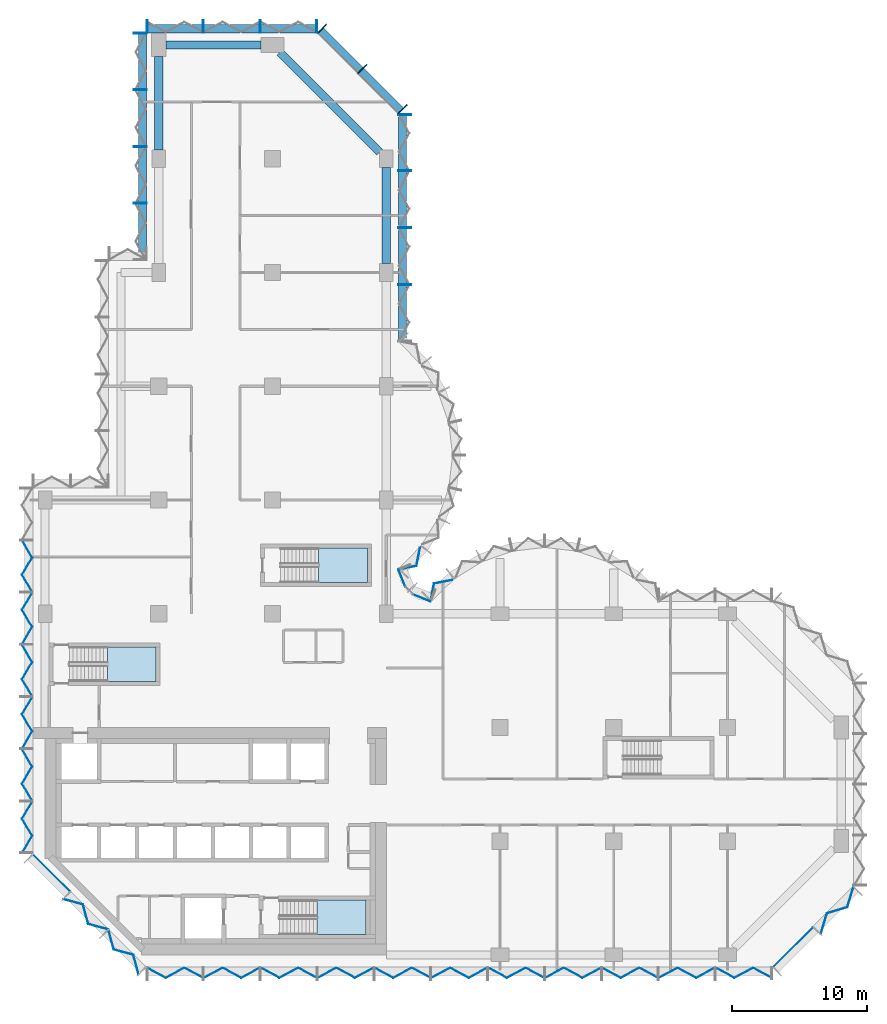
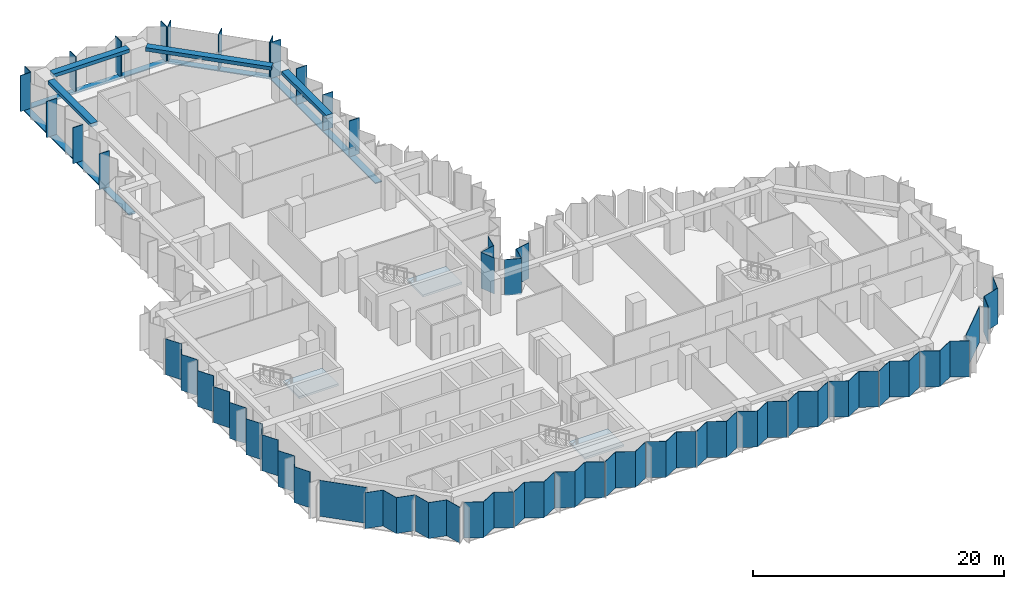
# One storey, part 3 of 11: 26 plates, 19 members, 4 beams, 3 slabs, 14 elements without a shape of their own.
"""IFC4 building model written with IfcOpenShell, lengths in metres."""

from ifc_helpers import new_model, si_unit, direction, frame, origin, origin_2d, place, context, subcontext, project, spatial, polyline, rectangle, outline, extrude, material, layer, layer_set, material_profile, profile_set, type_object, element, aggregate, save


model = new_model("IFC4")

# Units and contexts
model_context = context("Model", 3, precision=1e-05, world=origin(), true_north=direction((0.0, 1.0)))
body_context = subcontext(model_context, "Body", "Model", "MODEL_VIEW")
ifc_project = project(units=[si_unit("LENGTHUNIT", "METRE"), si_unit("AREAUNIT", "SQUARE_METRE"), si_unit("VOLUMEUNIT", "CUBIC_METRE"), si_unit("PLANEANGLEUNIT", "RADIAN"), si_unit("MASSUNIT", "GRAM", prefix="KILO")], contexts=[model_context])

# Site, building, storey
site_placement = place(None, origin())
site = spatial("IfcSite", under=ifc_project, at=site_placement, CompositionType="ELEMENT")
building_placement = place(site_placement, origin())
building = spatial("IfcBuilding", under=site, at=building_placement, Name="Brevane Broadcast Tower", CompositionType="ELEMENT")
storey_placement = place(building_placement, frame((0.0, 0.0, 149.300048828125)))
storey = spatial("IfcBuildingStorey", under=building, at=storey_placement, Name="L37", CompositionType="ELEMENT", Elevation=149.300048828125)

# Curtain wall, members
ifc_material_1 = material(Name="Aluminium 6063-T6 bronze anodised", Category="aluminium")
curtain_wall_type = type_object("IfcCurtainWallType", Name="CW-1 curtain wall", PredefinedType="NOTDEFINED", material=ifc_material_1)
curtain_wall_1_placement = place(storey_placement, origin())
curtain_wall_1 = element("IfcCurtainWall", 1, at=curtain_wall_1_placement, inside=storey, type_object=curtain_wall_type, Name="CW-1 typical tilted unit L37 north arm east face", PredefinedType="NOTDEFINED")
ifc_material_profile_1 = material_profile(ifc_material_1, rectangle(XDim=0.949951171875, YDim=0.070068359375, at=origin_2d()), Name="RECT 70x950")
ifc_profile_set_1 = profile_set([ifc_material_profile_1], Name="Aluminium 6063-T6 bronze anodised")
member_type_1 = type_object("IfcMemberType", Name="CW-1 mullion 70x950", PredefinedType="MULLION", material=ifc_profile_set_1)
member_1_placement = place(storey_placement, frame((26.574951171875, 49.5, -0.150146484375), z_axis=(0.0, 0.0, 1.0), x_axis=(-1.0, 0.0, 0.0)))
member_1 = element("IfcMember", 2, at=member_1_placement, type_object=member_type_1, Name="CW-1 mullion", PredefinedType="MULLION", context=body_context, shape_type="SweptSolid", body=[
    extrude(rectangle(XDim=0.949951171875, YDim=0.070068359375, at=origin_2d()), origin(), (0.0, 0.0, 1.0), 3.5),
])
member_2_placement = place(storey_placement, frame((26.574951171875, 53.699951171875, -0.150146484375), z_axis=(0.0, 0.0, 1.0), x_axis=(-1.0, 0.0, 0.0)))
member_2 = element("IfcMember", 3, at=member_2_placement, type_object=member_type_1, Name="CW-1 mullion", PredefinedType="MULLION", context=body_context, shape_type="SweptSolid", body=[
    extrude(rectangle(XDim=0.949951171875, YDim=0.070068359375, at=origin_2d()), origin(), (0.0, 0.0, 1.0), 3.5),
])
member_3_placement = place(storey_placement, frame((26.574951171875, 57.89990234375, -0.150146484375), z_axis=(0.0, 0.0, 1.0), x_axis=(-1.0, 0.0, 0.0)))
member_3 = element("IfcMember", 4, at=member_3_placement, type_object=member_type_1, Name="CW-1 mullion", PredefinedType="MULLION", context=body_context, shape_type="SweptSolid", body=[
    extrude(rectangle(XDim=0.949951171875, YDim=0.070068359375, at=origin_2d()), origin(), (0.0, 0.0, 1.0), 3.5),
])
member_4_placement = place(storey_placement, frame((26.574951171875, 62.06494140625, -0.150146484375), z_axis=(0.0, 0.0, 1.0), x_axis=(-1.0, 0.0, 0.0)))
member_4 = element("IfcMember", 5, at=member_4_placement, type_object=member_type_1, Name="CW-1 mullion", PredefinedType="MULLION", context=body_context, shape_type="SweptSolid", body=[
    extrude(rectangle(XDim=0.949951171875, YDim=0.070068359375, at=origin_2d()), origin(), (0.0, 0.0, 1.0), 3.5),
])

curtain_wall_2_placement = place(storey_placement, origin())
curtain_wall_2 = element("IfcCurtainWall", 6, at=curtain_wall_2_placement, inside=storey, type_object=curtain_wall_type, Name="CW-1 typical tilted unit L37 north arm north-east chamfer", PredefinedType="NOTDEFINED")
member_5_placement = place(storey_placement, frame((26.4111328125, 62.460693359375, -0.150146484375), z_axis=(0.0, 0.0, 1.0), x_axis=(-0.707106781187, -0.707106781187, 0.0)))
member_5 = element("IfcMember", 7, at=member_5_placement, type_object=member_type_1, Name="CW-1 mullion", PredefinedType="MULLION", context=body_context, shape_type="SweptSolid", body=[
    extrude(rectangle(XDim=0.949951171875, YDim=0.070068359375, at=origin_2d()), origin(), (0.0, 0.0, 1.0), 3.5),
])
member_6_placement = place(storey_placement, frame((23.435791015625, 65.435791015625, -0.150146484375), z_axis=(0.0, 0.0, 1.0), x_axis=(-0.707106781187, -0.707106781187, 0.0)))
member_6 = element("IfcMember", 8, at=member_6_placement, type_object=member_type_1, Name="CW-1 mullion", PredefinedType="MULLION", context=body_context, shape_type="SweptSolid", body=[
    extrude(rectangle(XDim=0.949951171875, YDim=0.070068359375, at=origin_2d()), origin(), (0.0, 0.0, 1.0), 3.5),
])
member_7_placement = place(storey_placement, frame((20.460693359375, 68.4111328125, -0.150146484375), z_axis=(0.0, 0.0, 1.0), x_axis=(-0.707106781187, -0.707106781187, 0.0)))
member_7 = element("IfcMember", 9, at=member_7_placement, type_object=member_type_1, Name="CW-1 mullion", PredefinedType="MULLION", context=body_context, shape_type="SweptSolid", body=[
    extrude(rectangle(XDim=0.949951171875, YDim=0.070068359375, at=origin_2d()), origin(), (0.0, 0.0, 1.0), 3.5),
])

curtain_wall_3_placement = place(storey_placement, origin())
curtain_wall_3 = element("IfcCurtainWall", 10, at=curtain_wall_3_placement, inside=storey, type_object=curtain_wall_type, Name="CW-1 typical tilted unit L37 north end", PredefinedType="NOTDEFINED")
member_8_placement = place(storey_placement, frame((20.06494140625, 68.574951171875, -0.150146484375), z_axis=(0.0, 0.0, 1.0), x_axis=(0.0, -1.0, 0.0)))
member_8 = element("IfcMember", 11, at=member_8_placement, type_object=member_type_1, Name="CW-1 mullion", PredefinedType="MULLION", context=body_context, shape_type="SweptSolid", body=[
    extrude(rectangle(XDim=0.949951171875, YDim=0.070068359375, at=origin_2d()), origin(), (0.0, 0.0, 1.0), 3.5),
])
member_9_placement = place(storey_placement, frame((15.89990234375, 68.574951171875, -0.150146484375), z_axis=(0.0, 0.0, 1.0), x_axis=(0.0, -1.0, 0.0)))
member_9 = element("IfcMember", 12, at=member_9_placement, type_object=member_type_1, Name="CW-1 mullion", PredefinedType="MULLION", context=body_context, shape_type="SweptSolid", body=[
    extrude(rectangle(XDim=0.949951171875, YDim=0.070068359375, at=origin_2d()), origin(), (0.0, 0.0, 1.0), 3.5),
])
member_10_placement = place(storey_placement, frame((11.699951171875, 68.574951171875, -0.150146484375), z_axis=(0.0, 0.0, 1.0), x_axis=(0.0, -1.0, 0.0)))
member_10 = element("IfcMember", 13, at=member_10_placement, type_object=member_type_1, Name="CW-1 mullion", PredefinedType="MULLION", context=body_context, shape_type="SweptSolid", body=[
    extrude(rectangle(XDim=0.949951171875, YDim=0.070068359375, at=origin_2d()), origin(), (0.0, 0.0, 1.0), 3.5),
])
member_11_placement = place(storey_placement, frame((7.534912109375, 68.574951171875, -0.150146484375), z_axis=(0.0, 0.0, 1.0), x_axis=(0.0, -1.0, 0.0)))
member_11 = element("IfcMember", 14, at=member_11_placement, type_object=member_type_1, Name="CW-1 mullion", PredefinedType="MULLION", context=body_context, shape_type="SweptSolid", body=[
    extrude(rectangle(XDim=0.949951171875, YDim=0.070068359375, at=origin_2d()), origin(), (0.0, 0.0, 1.0), 3.5),
])

curtain_wall_4_placement = place(storey_placement, origin())
curtain_wall_4 = element("IfcCurtainWall", 15, at=curtain_wall_4_placement, inside=storey, type_object=curtain_wall_type, Name="CW-1 typical tilted unit L37 north wing west face above the set-back", PredefinedType="NOTDEFINED")
member_12_placement = place(storey_placement, frame((7.02490234375, 68.06494140625, -0.150146484375), z_axis=(0.0, 0.0, 1.0), x_axis=(1.0, 0.0, 0.0)))
member_12 = element("IfcMember", 16, at=member_12_placement, type_object=member_type_1, Name="CW-1 mullion", PredefinedType="MULLION", context=body_context, shape_type="SweptSolid", body=[
    extrude(rectangle(XDim=0.949951171875, YDim=0.070068359375, at=origin_2d()), origin(), (0.0, 0.0, 1.0), 3.5),
])
member_13_placement = place(storey_placement, frame((7.02490234375, 63.89990234375, -0.150146484375), z_axis=(0.0, 0.0, 1.0), x_axis=(1.0, 0.0, 0.0)))
member_13 = element("IfcMember", 17, at=member_13_placement, type_object=member_type_1, Name="CW-1 mullion", PredefinedType="MULLION", context=body_context, shape_type="SweptSolid", body=[
    extrude(rectangle(XDim=0.949951171875, YDim=0.070068359375, at=origin_2d()), origin(), (0.0, 0.0, 1.0), 3.5),
])
member_14_placement = place(storey_placement, frame((7.02490234375, 59.699951171875, -0.150146484375), z_axis=(0.0, 0.0, 1.0), x_axis=(1.0, 0.0, 0.0)))
member_14 = element("IfcMember", 18, at=member_14_placement, type_object=member_type_1, Name="CW-1 mullion", PredefinedType="MULLION", context=body_context, shape_type="SweptSolid", body=[
    extrude(rectangle(XDim=0.949951171875, YDim=0.070068359375, at=origin_2d()), origin(), (0.0, 0.0, 1.0), 3.5),
])
member_15_placement = place(storey_placement, frame((7.02490234375, 55.5, -0.150146484375), z_axis=(0.0, 0.0, 1.0), x_axis=(1.0, 0.0, 0.0)))
member_15 = element("IfcMember", 19, at=member_15_placement, type_object=member_type_1, Name="CW-1 mullion", PredefinedType="MULLION", context=body_context, shape_type="SweptSolid", body=[
    extrude(rectangle(XDim=0.949951171875, YDim=0.070068359375, at=origin_2d()), origin(), (0.0, 0.0, 1.0), 3.5),
])

# Member
ifc_material_profile_2 = material_profile(ifc_material_1, rectangle(XDim=0.60009765625, YDim=0.10009765625, at=origin_2d()), Name="RECT 100x600")
ifc_profile_set_2 = profile_set([ifc_material_profile_2], Name="Aluminium 6063-T6 bronze anodised")
member_type_2 = type_object("IfcMemberType", Name="CW-1 transom 100x600", PredefinedType="USERDEFINED", material=ifc_profile_set_2)
member_16_placement = place(storey_placement, frame((26.39990234375, 45.300048828125, -0.199951171875), z_axis=(0.0, 1.0, 0.0), x_axis=(-1.0, 0.0, 0.0)))
member_16 = element("IfcMember", 20, at=member_16_placement, type_object=member_type_2, Name="CW-1 transom", ObjectType="TRANSOM", PredefinedType="USERDEFINED", context=body_context, shape_type="SweptSolid", body=[
    extrude(rectangle(XDim=0.60009765625, YDim=0.10009765625, at=origin_2d()), origin(), (0.0, 0.0, 1.0), 16.800048828125),
])

aggregate(curtain_wall_1, [member_1, member_2, member_3, member_4, member_16])

member_17_placement = place(storey_placement, frame((26.31201171875, 62.31201171875, -0.199951171875), z_axis=(-0.707106781187, 0.707106781187, 0.0), x_axis=(-0.707106781187, -0.707106781187, 0.0)))
member_17 = element("IfcMember", 21, at=member_17_placement, type_object=member_type_2, Name="CW-1 transom", ObjectType="TRANSOM", PredefinedType="USERDEFINED", context=body_context, shape_type="SweptSolid", body=[
    extrude(rectangle(XDim=0.60009765625, YDim=0.10009765625, at=origin_2d()), origin(), (0.0, 0.0, 1.0), 8.4853515625),
])

aggregate(curtain_wall_2, [member_5, member_6, member_7, member_17])

member_18_placement = place(storey_placement, frame((20.10009765625, 68.39990234375, -0.199951171875), z_axis=(-1.0, 0.0, 0.0), x_axis=(0.0, -1.0, 0.0)))
member_18 = element("IfcMember", 22, at=member_18_placement, type_object=member_type_2, Name="CW-1 transom", ObjectType="TRANSOM", PredefinedType="USERDEFINED", context=body_context, shape_type="SweptSolid", body=[
    extrude(rectangle(XDim=0.60009765625, YDim=0.10009765625, at=origin_2d()), origin(), (0.0, 0.0, 1.0), 12.60009765625),
])

aggregate(curtain_wall_3, [member_8, member_9, member_10, member_11, member_18])

member_19_placement = place(storey_placement, frame((7.199951171875, 68.10009765625, -0.199951171875), z_axis=(0.0, -1.0, 0.0), x_axis=(1.0, 0.0, 0.0)))
member_19 = element("IfcMember", 23, at=member_19_placement, type_object=member_type_2, Name="CW-1 transom", ObjectType="TRANSOM", PredefinedType="USERDEFINED", context=body_context, shape_type="SweptSolid", body=[
    extrude(rectangle(XDim=0.60009765625, YDim=0.10009765625, at=origin_2d()), origin(), (0.0, 0.0, 1.0), 16.800048828125),
])

aggregate(curtain_wall_4, [member_12, member_13, member_14, member_15, member_19])

# Beams
ifc_material_2 = material(Name="Concrete C40/50", Category="concrete")
ifc_material_profile_3 = material_profile(ifc_material_2, rectangle(XDim=0.60009765625, YDim=0.35009765625, at=origin_2d()), Name="RC 600x350")
ifc_profile_set_3 = profile_set([ifc_material_profile_3], Name="Concrete C40/50")
beam_type = type_object("IfcBeamType", Name="RC SPANDREL BEAM 600x350 C40/50", PredefinedType="SPANDREL", material=ifc_profile_set_3)
beam_1_placement = place(storey_placement, frame((25.199951171875, 51.050048828125, 3.175048828125), z_axis=(0.0, 1.0, 0.0), x_axis=(-1.0, 0.0, 0.0)))
element("IfcBeam", 24, at=beam_1_placement, inside=storey, type_object=beam_type, Name="EB1 L37-13", PredefinedType="SPANDREL", context=body_context, shape_type="SweptSolid", body=[
    extrude(rectangle(XDim=0.60009765625, YDim=0.35009765625, at=origin_2d()), origin(), (0.0, 0.0, 1.0), 7.099853515625),
])
beam_2_placement = place(storey_placement, frame((24.699951171875, 59.300048828125, 3.175048828125), z_axis=(-0.707106781187, 0.707106781187, 0.0), x_axis=(-0.707106781187, -0.707106781187, 0.0)))
element("IfcBeam", 25, at=beam_2_placement, inside=storey, type_object=beam_type, Name="EB1 L37-14", PredefinedType="SPANDREL", context=body_context, shape_type="SweptSolid", body=[
    extrude(rectangle(XDim=0.60009765625, YDim=0.35009765625, at=origin_2d()), origin(), (0.0, 0.0, 1.0), 10.394287109375),
])
beam_3_placement = place(storey_placement, frame((15.949951171875, 67.199951171875, 3.175048828125), z_axis=(-1.0, 0.0, 0.0), x_axis=(0.0, -1.0, 0.0)))
element("IfcBeam", 26, at=beam_3_placement, inside=storey, type_object=beam_type, Name="EB1 L37-15", PredefinedType="SPANDREL", context=body_context, shape_type="SweptSolid", body=[
    extrude(rectangle(XDim=0.60009765625, YDim=0.35009765625, at=origin_2d()), origin(), (0.0, 0.0, 1.0), 7.0),
])
beam_4_placement = place(storey_placement, frame((8.39990234375, 59.449951171875, 3.175048828125), z_axis=(0.0, 1.0, 0.0), x_axis=(-1.0, 0.0, 0.0)))
element("IfcBeam", 27, at=beam_4_placement, inside=storey, type_object=beam_type, Name="EB1 L37-23", PredefinedType="SPANDREL", context=body_context, shape_type="SweptSolid", body=[
    extrude(rectangle(XDim=0.60009765625, YDim=0.35009765625, at=origin_2d()), origin(), (0.0, 0.0, 1.0), 6.900146484375),
])

# Curtain wall, plates
curtain_wall_5_placement = place(storey_placement, origin())
curtain_wall_5 = element("IfcCurtainWall", 28, at=curtain_wall_5_placement, inside=storey, type_object=curtain_wall_type, Name="CW-1 typical tilted unit L37 south face", PredefinedType="NOTDEFINED")
ifc_material_3 = material(Name="Laminated glass bronze-tinted", Category="glass")
ifc_layer_1 = layer(ifc_material_3, 0.0400390625)
ifc_layer_set_1 = layer_set([ifc_layer_1], Name="CW tall glass panel 40")
plate_type = type_object("IfcPlateType", Name="CW tall glass panel 40", PredefinedType="CURTAIN_PANEL", material=ifc_layer_set_1)
plate_1_placement = place(storey_placement, frame((0.0, 0.0, -0.150146484375)))
plate_1 = element("IfcPlate", 29, at=plate_1_placement, type_object=plate_type, Name="CW-1 glass panel", PredefinedType="CURTAIN_PANEL", context=body_context, shape_type="SweptSolid", body=[
    extrude(outline(polyline([(7.534912109375, -0.92724609375), (7.534912109375, -0.97265625), (8.91162109375, -1.717041015625), (10.288330078125, -0.97265625), (11.6650390625, -1.717041015625), (11.6650390625, -1.671630859375), (10.288330078125, -0.92724609375), (8.91162109375, -1.671630859375), (7.534912109375, -0.92724609375)])), origin(), (0.0, 0.0, 1.0), 3.5),
])
plate_2_placement = place(storey_placement, frame((0.0, 0.0, -0.150146484375)))
plate_2 = element("IfcPlate", 30, at=plate_2_placement, type_object=plate_type, Name="CW-1 glass panel", PredefinedType="CURTAIN_PANEL", context=body_context, shape_type="SweptSolid", body=[
    extrude(outline(polyline([(11.735107421875, -1.671630859375), (11.735107421875, -1.717041015625), (13.11181640625, -0.97265625), (14.48828125, -1.717041015625), (15.864990234375, -0.97265625), (15.864990234375, -0.92724609375), (14.48828125, -1.671630859375), (13.11181640625, -0.92724609375), (11.735107421875, -1.671630859375)])), origin(), (0.0, 0.0, 1.0), 3.5),
])
plate_3_placement = place(storey_placement, frame((0.0, 0.0, -0.150146484375)))
plate_3 = element("IfcPlate", 31, at=plate_3_placement, type_object=plate_type, Name="CW-1 glass panel", PredefinedType="CURTAIN_PANEL", context=body_context, shape_type="SweptSolid", body=[
    extrude(outline(polyline([(15.93505859375, -0.92724609375), (15.93505859375, -0.97265625), (17.311767578125, -1.717041015625), (18.688232421875, -0.97265625), (20.06494140625, -1.717041015625), (20.06494140625, -1.671630859375), (18.688232421875, -0.92724609375), (17.311767578125, -1.671630859375), (15.93505859375, -0.92724609375)])), origin(), (0.0, 0.0, 1.0), 3.5),
])
plate_4_placement = place(storey_placement, frame((0.0, 0.0, -0.150146484375)))
plate_4 = element("IfcPlate", 32, at=plate_4_placement, type_object=plate_type, Name="CW-1 glass panel", PredefinedType="CURTAIN_PANEL", context=body_context, shape_type="SweptSolid", body=[
    extrude(outline(polyline([(20.135009765625, -1.671630859375), (20.135009765625, -1.717041015625), (21.51171875, -0.97265625), (22.88818359375, -1.717041015625), (24.264892578125, -0.97265625), (24.264892578125, -0.92724609375), (22.88818359375, -1.671630859375), (21.51171875, -0.92724609375), (20.135009765625, -1.671630859375)])), origin(), (0.0, 0.0, 1.0), 3.5),
])
plate_5_placement = place(storey_placement, frame((0.0, 0.0, -0.150146484375)))
plate_5 = element("IfcPlate", 33, at=plate_5_placement, type_object=plate_type, Name="CW-1 glass panel", PredefinedType="CURTAIN_PANEL", context=body_context, shape_type="SweptSolid", body=[
    extrude(outline(polyline([(24.3349609375, -0.92724609375), (24.3349609375, -0.97265625), (25.711669921875, -1.717041015625), (27.08837890625, -0.97265625), (28.465087890625, -1.717041015625), (28.465087890625, -1.671630859375), (27.08837890625, -0.92724609375), (25.711669921875, -1.671630859375), (24.3349609375, -0.92724609375)])), origin(), (0.0, 0.0, 1.0), 3.5),
])
plate_6_placement = place(storey_placement, frame((0.0, 0.0, -0.150146484375)))
plate_6 = element("IfcPlate", 34, at=plate_6_placement, type_object=plate_type, Name="CW-1 glass panel", PredefinedType="CURTAIN_PANEL", context=body_context, shape_type="SweptSolid", body=[
    extrude(outline(polyline([(28.534912109375, -1.671630859375), (28.534912109375, -1.717041015625), (29.91162109375, -0.97265625), (31.288330078125, -1.717041015625), (32.6650390625, -0.97265625), (32.6650390625, -0.92724609375), (31.288330078125, -1.671630859375), (29.91162109375, -0.92724609375), (28.534912109375, -1.671630859375)])), origin(), (0.0, 0.0, 1.0), 3.5),
])
plate_7_placement = place(storey_placement, frame((0.0, 0.0, -0.150146484375)))
plate_7 = element("IfcPlate", 35, at=plate_7_placement, type_object=plate_type, Name="CW-1 glass panel", PredefinedType="CURTAIN_PANEL", context=body_context, shape_type="SweptSolid", body=[
    extrude(outline(polyline([(32.735107421875, -0.92724609375), (32.735107421875, -0.97265625), (34.11181640625, -1.717041015625), (35.48828125, -0.97265625), (36.864990234375, -1.717041015625), (36.864990234375, -1.671630859375), (35.48828125, -0.92724609375), (34.11181640625, -1.671630859375), (32.735107421875, -0.92724609375)])), origin(), (0.0, 0.0, 1.0), 3.5),
])
plate_8_placement = place(storey_placement, frame((0.0, 0.0, -0.150146484375)))
plate_8 = element("IfcPlate", 36, at=plate_8_placement, type_object=plate_type, Name="CW-1 glass panel", PredefinedType="CURTAIN_PANEL", context=body_context, shape_type="SweptSolid", body=[
    extrude(outline(polyline([(36.93505859375, -1.671630859375), (36.93505859375, -1.717041015625), (38.311767578125, -0.97265625), (39.688232421875, -1.717041015625), (41.06494140625, -0.97265625), (41.06494140625, -0.92724609375), (39.688232421875, -1.671630859375), (38.311767578125, -0.92724609375), (36.93505859375, -1.671630859375)])), origin(), (0.0, 0.0, 1.0), 3.5),
])
plate_9_placement = place(storey_placement, frame((0.0, 0.0, -0.150146484375)))
plate_9 = element("IfcPlate", 37, at=plate_9_placement, type_object=plate_type, Name="CW-1 glass panel", PredefinedType="CURTAIN_PANEL", context=body_context, shape_type="SweptSolid", body=[
    extrude(outline(polyline([(41.135009765625, -0.92724609375), (41.135009765625, -0.97265625), (42.51171875, -1.717041015625), (43.88818359375, -0.97265625), (45.264892578125, -1.717041015625), (45.264892578125, -1.671630859375), (43.88818359375, -0.92724609375), (42.51171875, -1.671630859375), (41.135009765625, -0.92724609375)])), origin(), (0.0, 0.0, 1.0), 3.5),
])
plate_10_placement = place(storey_placement, frame((0.0, 0.0, -0.150146484375)))
plate_10 = element("IfcPlate", 38, at=plate_10_placement, type_object=plate_type, Name="CW-1 glass panel", PredefinedType="CURTAIN_PANEL", context=body_context, shape_type="SweptSolid", body=[
    extrude(outline(polyline([(45.3349609375, -1.671630859375), (45.3349609375, -1.717041015625), (46.711669921875, -0.97265625), (48.08837890625, -1.717041015625), (49.465087890625, -0.97265625), (49.465087890625, -0.92724609375), (48.08837890625, -1.671630859375), (46.711669921875, -0.92724609375), (45.3349609375, -1.671630859375)])), origin(), (0.0, 0.0, 1.0), 3.5),
])
plate_11_placement = place(storey_placement, frame((0.0, 0.0, -0.150146484375)))
plate_11 = element("IfcPlate", 39, at=plate_11_placement, type_object=plate_type, Name="CW-1 glass panel", PredefinedType="CURTAIN_PANEL", context=body_context, shape_type="SweptSolid", body=[
    extrude(outline(polyline([(49.534912109375, -0.92724609375), (49.534912109375, -0.97265625), (50.91162109375, -1.717041015625), (52.288330078125, -0.97265625), (53.6650390625, -1.717041015625), (53.6650390625, -1.671630859375), (52.288330078125, -0.92724609375), (50.91162109375, -1.671630859375), (49.534912109375, -0.92724609375)])), origin(), (0.0, 0.0, 1.0), 3.5),
])
aggregate(curtain_wall_5, [plate_1, plate_2, plate_3, plate_4, plate_5, plate_6, plate_7, plate_8, plate_9, plate_10, plate_11])

curtain_wall_6_placement = place(storey_placement, origin())
curtain_wall_6 = element("IfcCurtainWall", 40, at=curtain_wall_6_placement, inside=storey, type_object=curtain_wall_type, Name="CW-1 typical tilted unit L37 south-east chamfer", PredefinedType="NOTDEFINED")
plate_12_placement = place(storey_placement, frame((0.0, 0.0, -0.150146484375)))
plate_12 = element("IfcPlate", 41, at=plate_12_placement, type_object=plate_type, Name="CW-1 glass panel", PredefinedType="CURTAIN_PANEL", context=body_context, shape_type="SweptSolid", body=[
    extrude(outline(polyline([(53.74609375, -0.896484375), (56.696533203125, 2.053955078125), (56.724609375, 2.02587890625), (53.774169921875, -0.9248046875), (53.74609375, -0.896484375)])), origin(), (0.0, 0.0, 1.0), 3.5),
])
plate_13_placement = place(storey_placement, frame((0.0, 0.0, -0.150146484375)))
plate_13 = element("IfcPlate", 42, at=plate_13_placement, type_object=plate_type, Name="CW-1 glass panel", PredefinedType="CURTAIN_PANEL", context=body_context, shape_type="SweptSolid", body=[
    extrude(outline(polyline([(57.2705078125, 1.5791015625), (57.302490234375, 1.547119140625), (57.759521484375, 3.056884765625), (59.26953125, 3.513916015625), (59.7265625, 5.02392578125), (59.694580078125, 5.055908203125), (59.2373046875, 3.546142578125), (57.7275390625, 3.0888671875), (57.2705078125, 1.5791015625)])), origin(), (0.0, 0.0, 1.0), 3.5),
])
aggregate(curtain_wall_6, [plate_12, plate_13])

# Curtain wall, plate
curtain_wall_7_placement = place(storey_placement, origin())
curtain_wall_7 = element("IfcCurtainWall", 43, at=curtain_wall_7_placement, inside=storey, type_object=curtain_wall_type, Name="CW-1 typical tilted unit L37 east bow", PredefinedType="NOTDEFINED")
plate_14_placement = place(storey_placement, frame((0.0, 0.0, -0.150146484375)))
plate_14 = element("IfcPlate", 44, at=plate_14_placement, type_object=plate_type, Name="CW-1 glass panel", PredefinedType="CURTAIN_PANEL", context=body_context, shape_type="SweptSolid", body=[
    extrude(outline(polyline([(30.089111328125, 27.67626953125), (30.0615234375, 27.71142578125), (28.7138671875, 27.447265625), (28.471923828125, 26.17919921875), (28.506103515625, 26.14404296875), (28.748046875, 27.4130859375), (30.089111328125, 27.67626953125)])), origin(), (0.0, 0.0, 1.0), 3.5),
])
aggregate(curtain_wall_7, [plate_14])

# Curtain wall, plates
curtain_wall_8_placement = place(storey_placement, origin())
curtain_wall_8 = element("IfcCurtainWall", 45, at=curtain_wall_8_placement, inside=storey, type_object=curtain_wall_type, Name="CW-1 typical tilted unit L37 inner corner", PredefinedType="NOTDEFINED")
plate_15_placement = place(storey_placement, frame((0.0, 0.0, -0.150146484375)))
plate_15 = element("IfcPlate", 46, at=plate_15_placement, type_object=plate_type, Name="CW-1 glass panel", PredefinedType="CURTAIN_PANEL", context=body_context, shape_type="SweptSolid", body=[
    extrude(outline(polyline([(28.45166015625, 26.07470703125), (28.466796875, 26.111572265625), (27.2021484375, 26.635498046875), (27.17138671875, 26.60498046875), (28.45166015625, 26.07470703125)])), origin(), (0.0, 0.0, 1.0), 3.5),
])
plate_16_placement = place(storey_placement, frame((0.0, 0.0, -0.150146484375)))
plate_16 = element("IfcPlate", 47, at=plate_16_placement, type_object=plate_type, Name="CW-1 glass panel", PredefinedType="CURTAIN_PANEL", context=body_context, shape_type="SweptSolid", body=[
    extrude(outline(polyline([(26.60498046875, 27.17138671875), (26.635498046875, 27.2021484375), (26.111572265625, 28.466796875), (26.07470703125, 28.45166015625), (26.60498046875, 27.17138671875)])), origin(), (0.0, 0.0, 1.0), 3.5),
])
aggregate(curtain_wall_8, [plate_15, plate_16])

# Curtain wall, plate
curtain_wall_9_placement = place(storey_placement, origin())
curtain_wall_9 = element("IfcCurtainWall", 48, at=curtain_wall_9_placement, inside=storey, type_object=curtain_wall_type, Name="CW-1 typical tilted unit L37 north bow", PredefinedType="NOTDEFINED")
plate_17_placement = place(storey_placement, frame((0.0, 0.0, -0.150146484375)))
plate_17 = element("IfcPlate", 49, at=plate_17_placement, type_object=plate_type, Name="CW-1 glass panel", PredefinedType="CURTAIN_PANEL", context=body_context, shape_type="SweptSolid", body=[
    extrude(outline(polyline([(26.14404296875, 28.506103515625), (26.17919921875, 28.471923828125), (27.447265625, 28.7138671875), (27.71142578125, 30.0615234375), (27.67626953125, 30.089111328125), (27.4130859375, 28.748046875), (26.14404296875, 28.506103515625)])), origin(), (0.0, 0.0, 1.0), 3.5),
])
aggregate(curtain_wall_9, [plate_17])

# Curtain wall, plates
curtain_wall_10_placement = place(storey_placement, origin())
curtain_wall_10 = element("IfcCurtainWall", 50, at=curtain_wall_10_placement, inside=storey, type_object=curtain_wall_type, Name="CW-1 typical tilted unit L37 west face", PredefinedType="NOTDEFINED")
plate_18_placement = place(storey_placement, frame((0.0, 0.0, -0.150146484375)))
plate_18 = element("IfcPlate", 51, at=plate_18_placement, type_object=plate_type, Name="CW-1 glass panel", PredefinedType="CURTAIN_PANEL", context=body_context, shape_type="SweptSolid", body=[
    extrude(outline(polyline([(-1.671142578125, 30.60791015625), (-1.717529296875, 30.60791015625), (-0.97314453125, 29.345458984375), (-1.717529296875, 28.0830078125), (-0.97314453125, 26.82080078125), (-0.9267578125, 26.82080078125), (-1.671142578125, 28.0830078125), (-0.9267578125, 29.345458984375), (-1.671142578125, 30.60791015625)])), origin(), (0.0, 0.0, 1.0), 3.5),
])
plate_19_placement = place(storey_placement, frame((0.0, 0.0, -0.150146484375)))
plate_19 = element("IfcPlate", 52, at=plate_19_placement, type_object=plate_type, Name="CW-1 glass panel", PredefinedType="CURTAIN_PANEL", context=body_context, shape_type="SweptSolid", body=[
    extrude(outline(polyline([(-0.9267578125, 26.750732421875), (-0.97314453125, 26.750732421875), (-1.717529296875, 25.48828125), (-0.97314453125, 24.22607421875), (-1.717529296875, 22.963623046875), (-1.671142578125, 22.963623046875), (-0.9267578125, 24.22607421875), (-1.671142578125, 25.48828125), (-0.9267578125, 26.750732421875)])), origin(), (0.0, 0.0, 1.0), 3.5),
])
plate_20_placement = place(storey_placement, frame((0.0, 0.0, -0.150146484375)))
plate_20 = element("IfcPlate", 53, at=plate_20_placement, type_object=plate_type, Name="CW-1 glass panel", PredefinedType="CURTAIN_PANEL", context=body_context, shape_type="SweptSolid", body=[
    extrude(outline(polyline([(-1.671142578125, 22.8935546875), (-1.717529296875, 22.8935546875), (-0.97314453125, 21.631103515625), (-1.717529296875, 20.368896484375), (-0.97314453125, 19.1064453125), (-0.9267578125, 19.1064453125), (-1.671142578125, 20.368896484375), (-0.9267578125, 21.631103515625), (-1.671142578125, 22.8935546875)])), origin(), (0.0, 0.0, 1.0), 3.5),
])
plate_21_placement = place(storey_placement, frame((0.0, 0.0, -0.150146484375)))
plate_21 = element("IfcPlate", 54, at=plate_21_placement, type_object=plate_type, Name="CW-1 glass panel", PredefinedType="CURTAIN_PANEL", context=body_context, shape_type="SweptSolid", body=[
    extrude(outline(polyline([(-0.9267578125, 19.036376953125), (-0.97314453125, 19.036376953125), (-1.717529296875, 17.77392578125), (-0.97314453125, 16.51171875), (-1.717529296875, 15.249267578125), (-1.671142578125, 15.249267578125), (-0.9267578125, 16.51171875), (-1.671142578125, 17.77392578125), (-0.9267578125, 19.036376953125)])), origin(), (0.0, 0.0, 1.0), 3.5),
])
plate_22_placement = place(storey_placement, frame((0.0, 0.0, -0.150146484375)))
plate_22 = element("IfcPlate", 55, at=plate_22_placement, type_object=plate_type, Name="CW-1 glass panel", PredefinedType="CURTAIN_PANEL", context=body_context, shape_type="SweptSolid", body=[
    extrude(outline(polyline([(-1.671142578125, 15.17919921875), (-1.717529296875, 15.17919921875), (-0.97314453125, 13.9169921875), (-1.717529296875, 12.654541015625), (-0.97314453125, 11.39208984375), (-0.9267578125, 11.39208984375), (-1.671142578125, 12.654541015625), (-0.9267578125, 13.9169921875), (-1.671142578125, 15.17919921875)])), origin(), (0.0, 0.0, 1.0), 3.5),
])
plate_23_placement = place(storey_placement, frame((0.0, 0.0, -0.150146484375)))
plate_23 = element("IfcPlate", 56, at=plate_23_placement, type_object=plate_type, Name="CW-1 glass panel", PredefinedType="CURTAIN_PANEL", context=body_context, shape_type="SweptSolid", body=[
    extrude(outline(polyline([(-0.9267578125, 11.322021484375), (-0.97314453125, 11.322021484375), (-1.717529296875, 10.059814453125), (-0.97314453125, 8.79736328125), (-1.717529296875, 7.534912109375), (-1.671142578125, 7.534912109375), (-0.9267578125, 8.79736328125), (-1.671142578125, 10.059814453125), (-0.9267578125, 11.322021484375)])), origin(), (0.0, 0.0, 1.0), 3.5),
])
aggregate(curtain_wall_10, [plate_18, plate_19, plate_20, plate_21, plate_22, plate_23])

curtain_wall_11_placement = place(storey_placement, origin())
curtain_wall_11 = element("IfcCurtainWall", 57, at=curtain_wall_11_placement, inside=storey, type_object=curtain_wall_type, Name="CW-1 typical tilted unit L37 south-west chamfer", PredefinedType="NOTDEFINED")
plate_24_placement = place(storey_placement, frame((0.0, 0.0, -0.150146484375)))
plate_24 = element("IfcPlate", 58, at=plate_24_placement, type_object=plate_type, Name="CW-1 glass panel", PredefinedType="CURTAIN_PANEL", context=body_context, shape_type="SweptSolid", body=[
    extrude(outline(polyline([(-0.896484375, 7.4541015625), (1.85400390625, 4.70361328125), (1.82568359375, 4.67529296875), (-0.9248046875, 7.42578125), (-0.896484375, 7.4541015625)])), origin(), (0.0, 0.0, 1.0), 3.5),
])
plate_25_placement = place(storey_placement, frame((0.0, 0.0, -0.150146484375)))
plate_25 = element("IfcPlate", 59, at=plate_25_placement, type_object=plate_type, Name="CW-1 glass panel", PredefinedType="CURTAIN_PANEL", context=body_context, shape_type="SweptSolid", body=[
    extrude(outline(polyline([(1.37939453125, 4.1298828125), (1.3466796875, 4.09716796875), (2.789794921875, 3.706787109375), (3.180419921875, 2.263671875), (4.62353515625, 1.873046875), (4.65625, 1.90576171875), (3.212890625, 2.296142578125), (2.822509765625, 3.739501953125), (1.37939453125, 4.1298828125)])), origin(), (0.0, 0.0, 1.0), 3.5),
])
plate_26_placement = place(storey_placement, frame((0.0, 0.0, -0.150146484375)))
plate_26 = element("IfcPlate", 60, at=plate_26_placement, type_object=plate_type, Name="CW-1 glass panel", PredefinedType="CURTAIN_PANEL", context=body_context, shape_type="SweptSolid", body=[
    extrude(outline(polyline([(4.705810546875, 1.856201171875), (4.673095703125, 1.823486328125), (5.063720703125, 0.38037109375), (6.5068359375, -0.010009765625), (6.897216796875, -1.453369140625), (6.9296875, -1.420654296875), (6.539306640625, 0.0224609375), (5.09619140625, 0.4130859375), (4.705810546875, 1.856201171875)])), origin(), (0.0, 0.0, 1.0), 3.5),
])
aggregate(curtain_wall_11, [plate_24, plate_25, plate_26])

# Stair, slab
ifc_material_4 = material(Name="Concrete C50/60", Category="concrete")
stair_type = type_object("IfcStairType", Name="Exit stair 22 risers", PredefinedType="HALF_TURN_STAIR", material=ifc_material_4)
stair_1_placement = place(storey_placement, origin())
stair_1 = element("IfcStair", 61, at=stair_1_placement, inside=storey, type_object=stair_type, Name="L37 Exit stair ST-1", PredefinedType="HALF_TURN_STAIR")
ifc_layer_2 = layer(ifc_material_4, 0.199951171875)
ifc_layer_set_2 = layer_set([ifc_layer_2], Name="Exit stair landing")
slab_type = type_object("IfcSlabType", Name="Exit stair landing", PredefinedType="LANDING", material=ifc_layer_set_2)
slab_1_placement = place(storey_placement, frame((0.0, 0.0, 1.599853515625)))
slab_1 = element("IfcSlab", 62, at=slab_1_placement, type_object=slab_type, Name="ST-1 landing 1", PredefinedType="LANDING", context=body_context, shape_type="SweptSolid", body=[
    extrude(outline(polyline([(4.60009765625, 20.199951171875), (8.199951171875, 20.199951171875), (8.199951171875, 22.75), (4.60009765625, 22.75), (4.60009765625, 20.199951171875)])), origin(), (0.0, 0.0, 1.0), 0.2001953125),
])
aggregate(stair_1, [slab_1])

stair_2_placement = place(storey_placement, origin())
stair_2 = element("IfcStair", 63, at=stair_2_placement, inside=storey, type_object=stair_type, Name="L37 Exit stair ST-2", PredefinedType="HALF_TURN_STAIR")
slab_2_placement = place(storey_placement, frame((0.0, 0.0, 1.599853515625)))
slab_2 = element("IfcSlab", 64, at=slab_2_placement, type_object=slab_type, Name="ST-2 landing 1", PredefinedType="LANDING", context=body_context, shape_type="SweptSolid", body=[
    extrude(outline(polyline([(20.10009765625, 1.5), (23.699951171875, 1.5), (23.699951171875, 4.050048828125), (20.10009765625, 4.050048828125), (20.10009765625, 1.5)])), origin(), (0.0, 0.0, 1.0), 0.2001953125),
])
aggregate(stair_2, [slab_2])

stair_3_placement = place(storey_placement, origin())
stair_3 = element("IfcStair", 65, at=stair_3_placement, inside=storey, type_object=stair_type, Name="L37 Exit stair ST-3", PredefinedType="HALF_TURN_STAIR")
slab_3_placement = place(storey_placement, frame((0.0, 0.0, 1.599853515625)))
slab_3 = element("IfcSlab", 66, at=slab_3_placement, type_object=slab_type, Name="ST-3 landing 1", PredefinedType="LANDING", context=body_context, shape_type="SweptSolid", body=[
    extrude(outline(polyline([(20.199951171875, 27.5), (23.800048828125, 27.5), (23.800048828125, 30.050048828125), (20.199951171875, 30.050048828125), (20.199951171875, 27.5)])), origin(), (0.0, 0.0, 1.0), 0.2001953125),
])
aggregate(stair_3, [slab_3])

save(model, "model.ifc")
